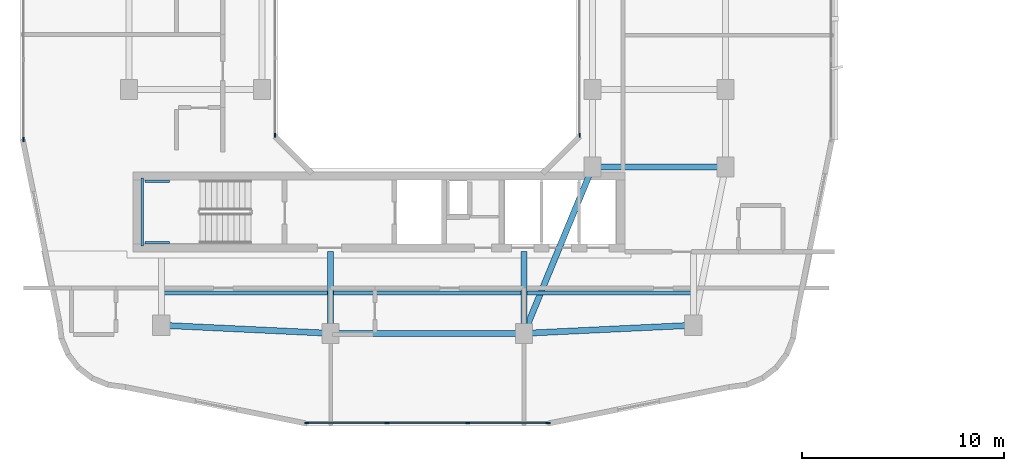
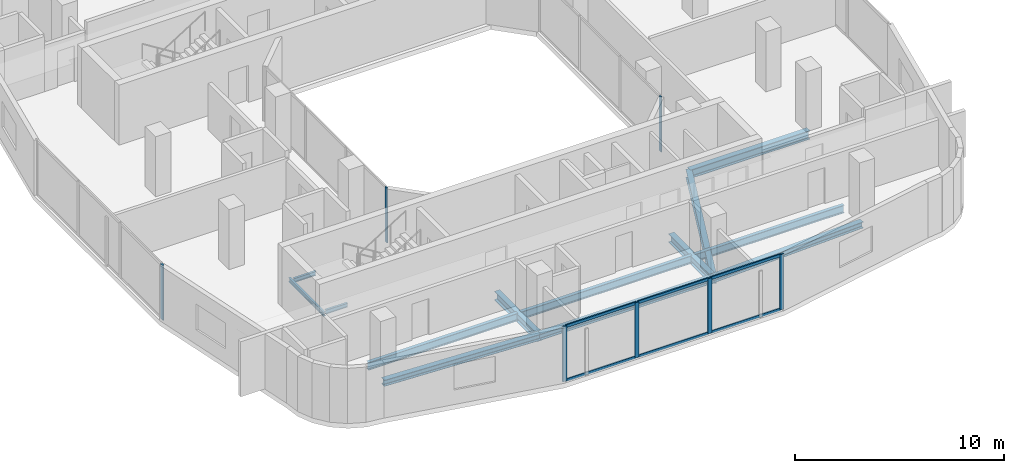
# One storey, part 2 of 18: 13 beams, 13 members, 4 elements without a shape of their own.
"""IFC4 building model written with IfcOpenShell, lengths in metres."""

from ifc_helpers import new_model, si_unit, derived_unit, direction, frame, origin, origin_2d, place, context, subcontext, project, spatial, rectangle, i_section, extrude, material, layer, layer_set, material_profile, profile_set, type_object, element, aggregate, save


model = new_model("IFC4")

# Units and contexts
model_context = context("Model", 3, precision=1e-05, world=origin(), true_north=direction((0.0, 1.0)))
body_context = subcontext(model_context, "Body", "Model", "MODEL_VIEW")
ifc_project = project(units=[si_unit("LENGTHUNIT", "METRE"), si_unit("AREAUNIT", "SQUARE_METRE"), si_unit("VOLUMEUNIT", "CUBIC_METRE"), si_unit("PLANEANGLEUNIT", "RADIAN"), si_unit("MASSUNIT", "GRAM", prefix="KILO"), derived_unit("THERMALTRANSMITTANCEUNIT", [(si_unit("POWERUNIT", "WATT"), 1), (si_unit("LENGTHUNIT", "METRE"), -2), (si_unit("THERMODYNAMICTEMPERATUREUNIT", "KELVIN"), -1)])], contexts=[model_context])

# Site, building, storey
site_placement = place(None, origin())
site = spatial("IfcSite", under=ifc_project, at=site_placement, CompositionType="ELEMENT")
building_placement = place(site_placement, origin())
building = spatial("IfcBuilding", under=site, at=building_placement, Name="Kivonza Crest Hotel", CompositionType="ELEMENT")
storey_placement = place(building_placement, frame((0.0, 0.0, 131.0)))
storey = spatial("IfcBuildingStorey", under=building, at=storey_placement, Name="L35", CompositionType="ELEMENT", Elevation=131.0)

# Beams
ifc_material_1 = material(Name="Steel S355", Category="steel")
ifc_material_profile_1 = material_profile(ifc_material_1, i_section(OverallWidth=0.300048828125, OverallDepth=0.360107421875, WebThickness=0.012451171875, FlangeThickness=0.0224609375, FilletRadius=0.027099609375, at=origin_2d()), Name="HEB 360")
ifc_profile_set_1 = profile_set([ifc_material_profile_1], Name="Steel S355")
beam_type_1 = type_object("IfcBeamType", Name="BM-HEB360", PredefinedType="SPANDREL", material=ifc_profile_set_1)
beam_1_placement = place(storey_placement, frame((16.199951171875, 9.39990234375, -0.4599609375), z_axis=(1.0, 0.0, 0.0), x_axis=(0.0, 1.0, 0.0)))
element("IfcBeam", 1, at=beam_1_placement, inside=storey, type_object=beam_type_1, Name="Tower T1 L35 perimeter spandrel S1-S2", PredefinedType="SPANDREL", context=body_context, shape_type="SweptSolid", body=[
    extrude(i_section(OverallWidth=0.300048828125, OverallDepth=0.360107421875, WebThickness=0.012451171875, FlangeThickness=0.0224609375, FilletRadius=0.027099609375, at=origin_2d()), origin(), (0.0, 0.0, 1.0), 9.60009765625),
])
for number, where, z_axis, x_axis, name in (
    (2, (25.800048828125, 9.39990234375, -0.4599609375), (0.998867283688, 0.047583080799, 0.0), (-0.047583080799, 0.998867283688, 0.0), "Tower T1 L35 perimeter spandrel S2-SE"),
    (3, (7.800048828125, 9.800048828125, -0.4599609375), (0.998867283688, -0.047583080799, 0.0), (0.047583080799, 0.998867283688, 0.0), "Tower T1 L35 perimeter spandrel SW-S1"),
):
    element("IfcBeam", number, at=place(storey_placement, frame(where, z_axis=z_axis, x_axis=x_axis)), inside=storey, type_object=beam_type_1, Name=name, PredefinedType="SPANDREL", context=body_context, shape_type="SweptSolid", body=[
        extrude(i_section(OverallWidth=0.300048828125, OverallDepth=0.360107421875, WebThickness=0.012451171875, FlangeThickness=0.0224609375, FilletRadius=0.027099609375, at=origin_2d()), origin(), (0.0, 0.0, 1.0), 8.409423828125),
    ])
ifc_material_profile_2 = material_profile(ifc_material_1, i_section(OverallWidth=0.300048828125, OverallDepth=0.5, WebThickness=0.014404296875, FlangeThickness=0.028076171875, FilletRadius=0.027099609375, at=origin_2d()), Name="HEB 500")
ifc_profile_set_2 = profile_set([ifc_material_profile_2], Name="Steel S355")
beam_type_2 = type_object("IfcBeamType", Name="BM-HEB500", PredefinedType="BEAM", material=ifc_profile_set_2)
beam_2_placement = place(storey_placement, frame((25.800048828125, 9.39990234375, -0.530029296875), z_axis=(0.381022260404, 0.924565864109, 0.0), x_axis=(-0.924565864109, 0.381022260404, 0.0)))
element("IfcBeam", 4, at=beam_2_placement, inside=storey, type_object=beam_type_2, Name="Tower T1 L35 primary girder S1-TSE", PredefinedType="BEAM", context=body_context, shape_type="SweptSolid", body=[
    extrude(i_section(OverallWidth=0.300048828125, OverallDepth=0.5, WebThickness=0.014404296875, FlangeThickness=0.028076171875, FilletRadius=0.027099609375, at=origin_2d()), origin(), (0.0, 0.0, 1.0), 8.923095703125),
])
beam_3_placement = place(storey_placement, frame((29.199951171875, 17.64990234375, -0.530029296875), z_axis=(1.0, 0.0, 0.0), x_axis=(0.0, 1.0, 0.0)))
element("IfcBeam", 5, at=beam_3_placement, inside=storey, type_object=beam_type_2, Name="Tower T1 L35 primary girder TSE-PSE", PredefinedType="BEAM", context=body_context, shape_type="SweptSolid", body=[
    extrude(i_section(OverallWidth=0.300048828125, OverallDepth=0.5, WebThickness=0.014404296875, FlangeThickness=0.028076171875, FilletRadius=0.027099609375, at=origin_2d()), origin(), (0.0, 0.0, 1.0), 6.60009765625),
])
for number, where, z_axis, x_axis, name in (
    (6, (16.199951171875, 9.39990234375, -0.530029296875), (0.0, 1.0, 0.0), (-1.0, 0.0, 0.0), "Tower T1 L35 radial core girder RS1"),
    (7, (25.800048828125, 9.39990234375, -0.530029296875), (0.0, 1.0, 0.0), (-1.0, 0.0, 0.0), "Tower T1 L35 radial core girder RS2"),
):
    element("IfcBeam", number, at=place(storey_placement, frame(where, z_axis=z_axis, x_axis=x_axis)), inside=storey, type_object=beam_type_2, Name=name, PredefinedType="BEAM", context=body_context, shape_type="SweptSolid", body=[
        extrude(i_section(OverallWidth=0.300048828125, OverallDepth=0.5, WebThickness=0.014404296875, FlangeThickness=0.028076171875, FilletRadius=0.027099609375, at=origin_2d()), origin(), (0.0, 0.0, 1.0), 4.050048828125),
    ])
ifc_material_profile_3 = material_profile(ifc_material_1, i_section(OverallWidth=0.18994140625, OverallDepth=0.449951171875, WebThickness=0.009521484375, FlangeThickness=0.0146484375, FilletRadius=0.02099609375, at=origin_2d()), Name="IPE 450")
ifc_profile_set_3 = profile_set([ifc_material_profile_3], Name="Steel S355")
beam_type_3 = type_object("IfcBeamType", Name="BM-IPE450", PredefinedType="JOIST", material=ifc_profile_set_3)
beam_4_placement = place(storey_placement, frame((7.8798828125, 11.39990234375, -0.5048828125), z_axis=(1.0, 0.0, 0.0), x_axis=(0.0, 1.0, 0.0)))
element("IfcBeam", 8, at=beam_4_placement, inside=storey, type_object=beam_type_3, Name="Tower T1 L35 South-West floor joist", PredefinedType="JOIST", context=body_context, shape_type="SweptSolid", body=[
    extrude(i_section(OverallWidth=0.18994140625, OverallDepth=0.449951171875, WebThickness=0.009521484375, FlangeThickness=0.0146484375, FilletRadius=0.02099609375, at=origin_2d()), origin(), (0.0, 0.0, 1.0), 8.240234375),
])
beam_5_placement = place(storey_placement, frame((16.280029296875, 11.39990234375, -0.5048828125), z_axis=(1.0, 0.0, 0.0), x_axis=(0.0, 1.0, 0.0)))
element("IfcBeam", 9, at=beam_5_placement, inside=storey, type_object=beam_type_3, Name="Tower T1 L35 South-Mid floor joist", PredefinedType="JOIST", context=body_context, shape_type="SweptSolid", body=[
    extrude(i_section(OverallWidth=0.18994140625, OverallDepth=0.449951171875, WebThickness=0.009521484375, FlangeThickness=0.0146484375, FilletRadius=0.02099609375, at=origin_2d()), origin(), (0.0, 0.0, 1.0), 9.43994140625),
])
beam_6_placement = place(storey_placement, frame((25.8798828125, 11.39990234375, -0.5048828125), z_axis=(1.0, 0.0, 0.0), x_axis=(0.0, 1.0, 0.0)))
element("IfcBeam", 10, at=beam_6_placement, inside=storey, type_object=beam_type_3, Name="Tower T1 L35 South-East floor joist", PredefinedType="JOIST", context=body_context, shape_type="SweptSolid", body=[
    extrude(i_section(OverallWidth=0.18994140625, OverallDepth=0.449951171875, WebThickness=0.009521484375, FlangeThickness=0.0146484375, FilletRadius=0.02099609375, at=origin_2d()), origin(), (0.0, 0.0, 1.0), 8.240234375),
])
ifc_material_profile_4 = material_profile(ifc_material_1, i_section(OverallWidth=0.1201171875, OverallDepth=0.239990234375, WebThickness=0.006103515625, FlangeThickness=0.009765625, FilletRadius=0.014892578125, at=origin_2d()), Name="IPE 240")
ifc_profile_set_4 = profile_set([ifc_material_profile_4], Name="Steel S355")
beam_type_4 = type_object("IfcBeamType", Name="BM-LLDG-240", PredefinedType="BEAM", material=ifc_profile_set_4)
beam_7_placement = place(storey_placement, frame((6.860107421875, 13.739990234375, 1.429931640625), z_axis=(0.0, 1.0, 0.0), x_axis=(-1.0, 0.0, 0.0)))
element("IfcBeam", 11, at=beam_7_placement, inside=storey, type_object=beam_type_4, Name="Stair ST-T1-S L35 West landing corbel", PredefinedType="BEAM", context=body_context, shape_type="SweptSolid", body=[
    extrude(i_section(OverallWidth=0.1201171875, OverallDepth=0.239990234375, WebThickness=0.006103515625, FlangeThickness=0.009765625, FilletRadius=0.014892578125, at=origin_2d()), origin(), (0.0, 0.0, 1.0), 3.360107421875),
])
for number, where, z_axis, x_axis, name in (
    (12, (6.989990234375, 13.89990234375, 1.429931640625), (1.0, 0.0, 0.0), (0.0, 1.0, 0.0), "Stair ST-T1-S L35 South landing corbel"),
    (13, (6.989990234375, 16.93994140625, 1.429931640625), (1.0, 0.0, 0.0), (0.0, 1.0, 0.0), "Stair ST-T1-S L35 North landing corbel"),
):
    element("IfcBeam", number, at=place(storey_placement, frame(where, z_axis=z_axis, x_axis=x_axis)), inside=storey, type_object=beam_type_4, Name=name, PredefinedType="BEAM", context=body_context, shape_type="SweptSolid", body=[
        extrude(i_section(OverallWidth=0.1201171875, OverallDepth=0.239990234375, WebThickness=0.006103515625, FlangeThickness=0.009765625, FilletRadius=0.014892578125, at=origin_2d()), origin(), (0.0, 0.0, 1.0), 1.2099609375),
    ])

# Curtain wall, member
ifc_material_2 = material(Name="Anodised bronze aluminium and low-E double glazing", Category="aluminium")
ifc_layer_1 = layer(ifc_material_2, 0.159912109375)
ifc_layer_set_1 = layer_set([ifc_layer_1], Name="Anodised bronze aluminium and low-E double glazing")
curtain_wall_type_1 = type_object("IfcCurtainWallType", Name="CW-SYS-5", PredefinedType="NOTDEFINED", material=ifc_layer_set_1)
curtain_wall_1_placement = place(storey_placement, origin())
curtain_wall_1 = element("IfcCurtainWall", 14, at=curtain_wall_1_placement, inside=storey, type_object=curtain_wall_type_1, Name="L35 unitised curtain wall CW-WELL-T1-L35-3", PredefinedType="NOTDEFINED")
ifc_material_3 = material(Name="Anodised bronze aluminium", Category="aluminium")
ifc_material_profile_5 = material_profile(ifc_material_3, rectangle(XDim=0.06494140625, YDim=0.179931640625, at=origin_2d()), Name="CW-M 65x180")
ifc_profile_set_5 = profile_set([ifc_material_profile_5], Name="Anodised bronze aluminium")
member_type_1 = type_object("IfcMemberType", Name="CW-MUL-65x180", PredefinedType="MULLION", material=ifc_profile_set_5)
member_1_placement = place(storey_placement, frame((28.56005859375, 19.232421875, 0.0), z_axis=(0.0, 0.0, 1.0), x_axis=(-1.0, 0.0, 0.0)))
member_1 = element("IfcMember", 15, at=member_1_placement, type_object=member_type_1, Name="CW-5 mullion 1", PredefinedType="MULLION", context=body_context, shape_type="SweptSolid", body=[
    extrude(rectangle(XDim=0.06494140625, YDim=0.179931640625, at=origin_2d()), origin(), (0.0, 0.0, 1.0), 3.219970703125),
])
aggregate(curtain_wall_1, [member_1])

curtain_wall_2_placement = place(storey_placement, origin())
curtain_wall_2 = element("IfcCurtainWall", 16, at=curtain_wall_2_placement, inside=storey, type_object=curtain_wall_type_1, Name="L35 unitised curtain wall CW-WELL-T1-L35-7", PredefinedType="NOTDEFINED")
member_2_placement = place(storey_placement, frame((13.43994140625, 19.232421875, 0.0), z_axis=(0.0, 0.0, 1.0), x_axis=(1.0, 0.0, 0.0)))
member_2 = element("IfcMember", 17, at=member_2_placement, type_object=member_type_1, Name="CW-5 mullion 4", PredefinedType="MULLION", context=body_context, shape_type="SweptSolid", body=[
    extrude(rectangle(XDim=0.06494140625, YDim=0.179931640625, at=origin_2d()), origin(), (0.0, 0.0, 1.0), 3.219970703125),
])
aggregate(curtain_wall_2, [member_2])

# Curtain wall, members
ifc_layer_2 = layer(ifc_material_2, 0.179931640625)
ifc_layer_set_2 = layer_set([ifc_layer_2], Name="Anodised bronze aluminium and low-E double glazing")
curtain_wall_type_2 = type_object("IfcCurtainWallType", Name="CW-SYS-3", PredefinedType="NOTDEFINED", material=ifc_layer_set_2)
curtain_wall_3_placement = place(storey_placement, origin())
curtain_wall_3 = element("IfcCurtainWall", 18, at=curtain_wall_3_placement, inside=storey, type_object=curtain_wall_type_2, Name="L35 unitised curtain wall CW-T1-L35-08", PredefinedType="NOTDEFINED")
ifc_material_profile_6 = material_profile(ifc_material_3, rectangle(XDim=0.074951171875, YDim=0.219970703125, at=origin_2d()), Name="CW-M 75x220")
ifc_profile_set_6 = profile_set([ifc_material_profile_6], Name="Anodised bronze aluminium")
member_type_2 = type_object("IfcMemberType", Name="CW-MUL-75x220", PredefinedType="MULLION", material=ifc_profile_set_6)
member_3_placement = place(storey_placement, frame((15.017578125, 4.9599609375, 0.0), z_axis=(0.0, 0.0, 1.0), x_axis=(0.0, 1.0, 0.0)))
member_3 = element("IfcMember", 19, at=member_3_placement, type_object=member_type_2, Name="CW-3 mullion 1", PredefinedType="MULLION", context=body_context, shape_type="SweptSolid", body=[
    extrude(rectangle(XDim=0.074951171875, YDim=0.219970703125, at=origin_2d()), origin(), (0.0, 0.0, 1.0), 3.219970703125),
])
member_4_placement = place(storey_placement, frame((18.993408203125, 4.9599609375, 0.0), z_axis=(0.0, 0.0, 1.0), x_axis=(0.0, 1.0, 0.0)))
member_4 = element("IfcMember", 20, at=member_4_placement, type_object=member_type_2, Name="CW-3 mullion 2", PredefinedType="MULLION", context=body_context, shape_type="SweptSolid", body=[
    extrude(rectangle(XDim=0.074951171875, YDim=0.219970703125, at=origin_2d()), origin(), (0.0, 0.0, 1.0), 3.219970703125),
])
member_5_placement = place(storey_placement, frame((23.006591796875, 4.9599609375, 0.0), z_axis=(0.0, 0.0, 1.0), x_axis=(0.0, 1.0, 0.0)))
member_5 = element("IfcMember", 21, at=member_5_placement, type_object=member_type_2, Name="CW-3 mullion 3", PredefinedType="MULLION", context=body_context, shape_type="SweptSolid", body=[
    extrude(rectangle(XDim=0.074951171875, YDim=0.219970703125, at=origin_2d()), origin(), (0.0, 0.0, 1.0), 3.219970703125),
])
member_6_placement = place(storey_placement, frame((26.982421875, 4.9599609375, 0.0), z_axis=(0.0, 0.0, 1.0), x_axis=(0.0, 1.0, 0.0)))
member_6 = element("IfcMember", 22, at=member_6_placement, type_object=member_type_2, Name="CW-3 mullion 4", PredefinedType="MULLION", context=body_context, shape_type="SweptSolid", body=[
    extrude(rectangle(XDim=0.074951171875, YDim=0.219970703125, at=origin_2d()), origin(), (0.0, 0.0, 1.0), 3.219970703125),
])

# Curtain wall, member
curtain_wall_4_placement = place(storey_placement, origin())
curtain_wall_4 = element("IfcCurtainWall", 23, at=curtain_wall_4_placement, inside=storey, type_object=curtain_wall_type_2, Name="L35 unitised curtain wall CW-T1-L35-35", PredefinedType="NOTDEFINED")
member_7_placement = place(storey_placement, frame((0.9599609375, 19.017578125, 0.0), z_axis=(0.0, 0.0, 1.0), x_axis=(1.0, 0.0, 0.0)))
member_7 = element("IfcMember", 24, at=member_7_placement, type_object=member_type_2, Name="CW-3 mullion 4", PredefinedType="MULLION", context=body_context, shape_type="SweptSolid", body=[
    extrude(rectangle(XDim=0.074951171875, YDim=0.219970703125, at=origin_2d()), origin(), (0.0, 0.0, 1.0), 3.219970703125),
])
aggregate(curtain_wall_4, [member_7])

# Member
ifc_material_profile_7 = material_profile(ifc_material_3, rectangle(XDim=0.074951171875, YDim=0.159912109375, at=origin_2d()), Name="CW-T 75x160")
ifc_profile_set_7 = profile_set([ifc_material_profile_7], Name="Anodised bronze aluminium")
member_type_3 = type_object("IfcMemberType", Name="CW-TRN-75x160", PredefinedType="USERDEFINED", material=ifc_profile_set_7)
member_8_placement = place(storey_placement, frame((15.054931640625, 4.9599609375, 0.03759765625), z_axis=(1.0, 0.0, 0.0), x_axis=(0.0, 1.0, 0.0)))
member_8 = element("IfcMember", 25, at=member_8_placement, type_object=member_type_3, Name="CW-3 transom 1.1", ObjectType="TRANSOM", PredefinedType="USERDEFINED", context=body_context, shape_type="SweptSolid", body=[
    extrude(rectangle(XDim=0.074951171875, YDim=0.159912109375, at=origin_2d()), origin(), (0.0, 0.0, 1.0), 3.90087890625),
])

member_9_placement = place(storey_placement, frame((15.054931640625, 4.9599609375, 3.1826171875), z_axis=(1.0, 0.0, 0.0), x_axis=(0.0, 1.0, 0.0)))
member_9 = element("IfcMember", 26, at=member_9_placement, type_object=member_type_3, Name="CW-3 transom 1.2", ObjectType="TRANSOM", PredefinedType="USERDEFINED", context=body_context, shape_type="SweptSolid", body=[
    extrude(rectangle(XDim=0.074951171875, YDim=0.159912109375, at=origin_2d()), origin(), (0.0, 0.0, 1.0), 3.90087890625),
])

member_10_placement = place(storey_placement, frame((19.03076171875, 4.9599609375, 0.03759765625), z_axis=(1.0, 0.0, 0.0), x_axis=(0.0, 1.0, 0.0)))
member_10 = element("IfcMember", 27, at=member_10_placement, type_object=member_type_3, Name="CW-3 transom 2.1", ObjectType="TRANSOM", PredefinedType="USERDEFINED", context=body_context, shape_type="SweptSolid", body=[
    extrude(rectangle(XDim=0.074951171875, YDim=0.159912109375, at=origin_2d()), origin(), (0.0, 0.0, 1.0), 3.9384765625),
])

member_11_placement = place(storey_placement, frame((19.03076171875, 4.9599609375, 3.1826171875), z_axis=(1.0, 0.0, 0.0), x_axis=(0.0, 1.0, 0.0)))
member_11 = element("IfcMember", 28, at=member_11_placement, type_object=member_type_3, Name="CW-3 transom 2.2", ObjectType="TRANSOM", PredefinedType="USERDEFINED", context=body_context, shape_type="SweptSolid", body=[
    extrude(rectangle(XDim=0.074951171875, YDim=0.159912109375, at=origin_2d()), origin(), (0.0, 0.0, 1.0), 3.9384765625),
])

member_12_placement = place(storey_placement, frame((23.044189453125, 4.9599609375, 0.03759765625), z_axis=(1.0, 0.0, 0.0), x_axis=(0.0, 1.0, 0.0)))
member_12 = element("IfcMember", 29, at=member_12_placement, type_object=member_type_3, Name="CW-3 transom 3.1", ObjectType="TRANSOM", PredefinedType="USERDEFINED", context=body_context, shape_type="SweptSolid", body=[
    extrude(rectangle(XDim=0.074951171875, YDim=0.159912109375, at=origin_2d()), origin(), (0.0, 0.0, 1.0), 3.90087890625),
])

member_13_placement = place(storey_placement, frame((23.044189453125, 4.9599609375, 3.1826171875), z_axis=(1.0, 0.0, 0.0), x_axis=(0.0, 1.0, 0.0)))
member_13 = element("IfcMember", 30, at=member_13_placement, type_object=member_type_3, Name="CW-3 transom 3.2", ObjectType="TRANSOM", PredefinedType="USERDEFINED", context=body_context, shape_type="SweptSolid", body=[
    extrude(rectangle(XDim=0.074951171875, YDim=0.159912109375, at=origin_2d()), origin(), (0.0, 0.0, 1.0), 3.90087890625),
])

aggregate(curtain_wall_3, [member_3, member_4, member_5, member_6, member_8, member_9, member_10, member_11, member_12, member_13])

save(model, "model.ifc")
